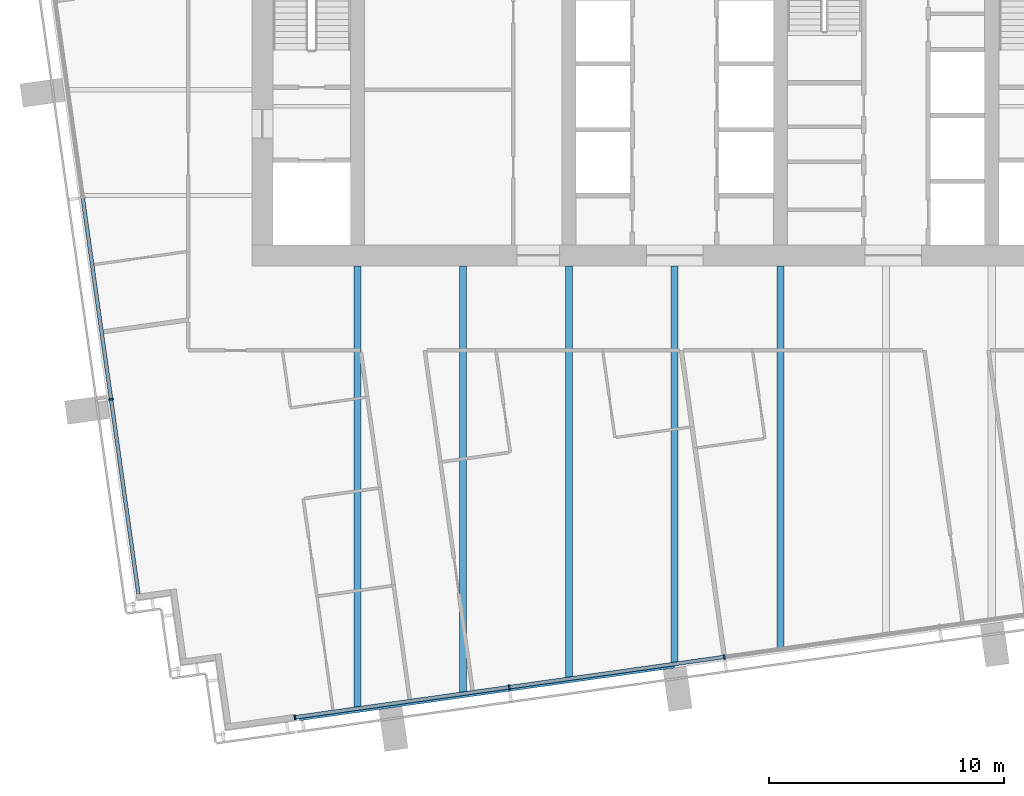
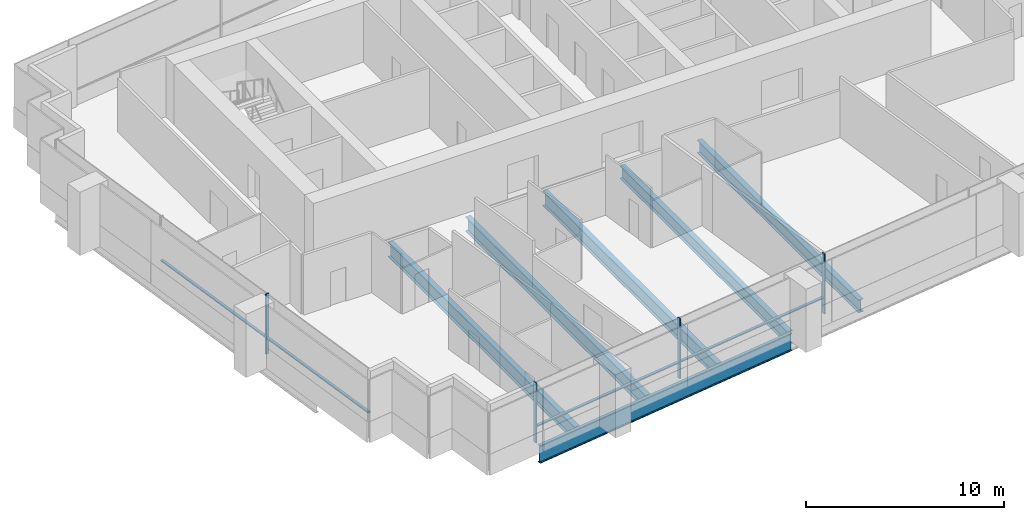
# One storey, part 2 of 15: 8 members, 6 beams, 2 elements without a shape of their own.
"""IFC4 building model written with IfcOpenShell, lengths in metres."""

from ifc_helpers import new_model, si_unit, direction, frame, origin, origin_2d, place, context, subcontext, project, spatial, rectangle, i_section, extrude, material, layer, layer_set, material_profile, profile_set, type_object, element, aggregate, save


model = new_model("IFC4")

# Units and contexts
model_context = context("Model", 3, precision=1e-05, world=origin(), true_north=direction((0.0, 1.0)))
body_context = subcontext(model_context, "Body", "Model", "MODEL_VIEW")
ifc_project = project(units=[si_unit("LENGTHUNIT", "METRE"), si_unit("AREAUNIT", "SQUARE_METRE"), si_unit("VOLUMEUNIT", "CUBIC_METRE"), si_unit("PLANEANGLEUNIT", "RADIAN"), si_unit("MASSUNIT", "GRAM", prefix="KILO")], contexts=[model_context])

# Site, building, storey
site_placement = place(None, origin())
site = spatial("IfcSite", under=ifc_project, at=site_placement, CompositionType="ELEMENT")
building_placement = place(site_placement, origin())
building = spatial("IfcBuilding", under=site, at=building_placement, Name="Rattan Terrace Tower", CompositionType="ELEMENT")
storey_placement = place(building_placement, frame((0.0, 0.0, 274.60009765625)))
storey = spatial("IfcBuildingStorey", under=building, at=storey_placement, Name="L63", CompositionType="ELEMENT", Elevation=274.60009765625)

# Beams
ifc_material_1 = material(Name="Steel S460", Category="steel")
ifc_material_profile_1 = material_profile(ifc_material_1, i_section(OverallWidth=0.179931640625, OverallDepth=1.10009765625, WebThickness=0.01611328125, FlangeThickness=0.050048828125, at=origin_2d()), Name="PG 1100x180-16-50")
ifc_profile_set_1 = profile_set([ifc_material_profile_1], Name="Steel S460")
beam_type_1 = type_object("IfcBeamType", Name="Frame edge girder PG 1100x180-16-50", PredefinedType="SPANDREL", material=ifc_profile_set_1)
beam_1_placement = place(storey_placement, frame((-15.969970703125, -26.77099609375, -0.75), z_axis=(0.990265456284, 0.139191688294, 0.0), x_axis=(-0.139191688294, 0.990265456284, 0.0)))
element("IfcBeam", 1, at=beam_1_placement, inside=storey, type_object=beam_type_1, Name="gdr-L63-001", PredefinedType="SPANDREL", context=body_context, shape_type="SweptSolid", body=[
    extrude(i_section(OverallWidth=0.179931640625, OverallDepth=1.10009765625, WebThickness=0.01611328125, FlangeThickness=0.050048828125, at=origin_2d()), origin(), (0.0, 0.0, 1.0), 16.114013671875),
])
ifc_material_2 = material(Name="Steel S355", Category="steel")
ifc_material_profile_2 = material_profile(ifc_material_2, i_section(OverallWidth=0.300048828125, OverallDepth=0.800048828125, WebThickness=0.017578125, FlangeThickness=0.032958984375, FilletRadius=0.030029296875, at=origin_2d()), Name="HE 800 B")
ifc_profile_set_2 = profile_set([ifc_material_profile_2], Name="Steel S355")
beam_type_2 = type_object("IfcBeamType", Name="Frame floor beam HE 800 B", PredefinedType="JOIST", material=ifc_profile_set_2)
beam_2_placement = place(storey_placement, frame((0.0, -24.4140625, -0.60009765625), z_axis=(0.0, 1.0, 0.0), x_axis=(-1.0, 0.0, 0.0)))
element("IfcBeam", 2, at=beam_2_placement, inside=storey, type_object=beam_type_2, Name="bm-L63-006", PredefinedType="JOIST", context=body_context, shape_type="SweptSolid", body=[
    extrude(i_section(OverallWidth=0.300048828125, OverallDepth=0.800048828125, WebThickness=0.017578125, FlangeThickness=0.032958984375, FilletRadius=0.030029296875, at=origin_2d()), origin(), (0.0, 0.0, 1.0), 16.9140625),
])
beam_3_placement = place(storey_placement, frame((4.5, -23.781982421875, -0.60009765625), z_axis=(0.0, 1.0, 0.0), x_axis=(-1.0, 0.0, 0.0)))
element("IfcBeam", 3, at=beam_3_placement, inside=storey, type_object=beam_type_2, Name="bm-L63-007", PredefinedType="JOIST", context=body_context, shape_type="SweptSolid", body=[
    extrude(i_section(OverallWidth=0.300048828125, OverallDepth=0.800048828125, WebThickness=0.017578125, FlangeThickness=0.032958984375, FilletRadius=0.030029296875, at=origin_2d()), origin(), (0.0, 0.0, 1.0), 16.281982421875),
])
ifc_material_3 = material(Name="Steel S355", Category="steel")
ifc_material_profile_3 = material_profile(ifc_material_3, i_section(OverallWidth=0.300048828125, OverallDepth=0.89990234375, WebThickness=0.0185546875, FlangeThickness=0.034912109375, FilletRadius=0.030029296875, at=origin_2d()), Name="HE 900 B")
ifc_profile_set_3 = profile_set([ifc_material_profile_3], Name="Steel S355")
beam_type_3 = type_object("IfcBeamType", Name="Frame floor beam HE 900 B", PredefinedType="JOIST", material=ifc_profile_set_3)
beam_4_placement = place(storey_placement, frame((-13.5, -26.31201171875, -0.650146484375), z_axis=(0.0, 1.0, 0.0), x_axis=(-1.0, 0.0, 0.0)))
element("IfcBeam", 4, at=beam_4_placement, inside=storey, type_object=beam_type_3, Name="bm-L63-003", PredefinedType="JOIST", context=body_context, shape_type="SweptSolid", body=[
    extrude(i_section(OverallWidth=0.300048828125, OverallDepth=0.89990234375, WebThickness=0.0185546875, FlangeThickness=0.034912109375, FilletRadius=0.030029296875, at=origin_2d()), origin(), (0.0, 0.0, 1.0), 18.81201171875),
])
beam_5_placement = place(storey_placement, frame((-9.0, -25.678955078125, -0.650146484375), z_axis=(0.0, 1.0, 0.0), x_axis=(-1.0, 0.0, 0.0)))
element("IfcBeam", 5, at=beam_5_placement, inside=storey, type_object=beam_type_3, Name="bm-L63-004", PredefinedType="JOIST", context=body_context, shape_type="SweptSolid", body=[
    extrude(i_section(OverallWidth=0.300048828125, OverallDepth=0.89990234375, WebThickness=0.0185546875, FlangeThickness=0.034912109375, FilletRadius=0.030029296875, at=origin_2d()), origin(), (0.0, 0.0, 1.0), 18.178955078125),
])
beam_6_placement = place(storey_placement, frame((-4.5, -25.047119140625, -0.650146484375), z_axis=(0.0, 1.0, 0.0), x_axis=(-1.0, 0.0, 0.0)))
element("IfcBeam", 6, at=beam_6_placement, inside=storey, type_object=beam_type_3, Name="bm-L63-005", PredefinedType="JOIST", context=body_context, shape_type="SweptSolid", body=[
    extrude(i_section(OverallWidth=0.300048828125, OverallDepth=0.89990234375, WebThickness=0.0185546875, FlangeThickness=0.034912109375, FilletRadius=0.030029296875, at=origin_2d()), origin(), (0.0, 0.0, 1.0), 17.547119140625),
])

# Curtain wall, member
ifc_material_4 = material(Name="Aluminium and laminated glass", Category="aluminium")
ifc_layer = layer(ifc_material_4, 0.199951171875)
ifc_layer_set = layer_set([ifc_layer], Name="High-Zone Unitised Curtain Wall")
curtain_wall_type = type_object("IfcCurtainWallType", Name="High-Zone Unitised Curtain Wall", PredefinedType="NOTDEFINED", material=ifc_layer_set)
curtain_wall_1_placement = place(storey_placement, origin())
curtain_wall_1 = element("IfcCurtainWall", 7, at=curtain_wall_1_placement, inside=storey, type_object=curtain_wall_type, Name="High-zone curtain wall L63-3", PredefinedType="NOTDEFINED")
ifc_material_5 = material(Name="Aluminium", Category="aluminium")
ifc_material_profile_4 = material_profile(ifc_material_5, rectangle(XDim=0.070068359375, YDim=0.199951171875, at=origin_2d()), Name="Aluminium 70x200")
ifc_profile_set_4 = profile_set([ifc_material_profile_4], Name="Aluminium")
member_type_1 = type_object("IfcMemberType", Name="High-Zone CW Mullion 70x200", PredefinedType="MULLION", material=ifc_profile_set_4)
member_1_placement = place(storey_placement, frame((-23.989990234375, -13.177490234375, 0.0), z_axis=(0.0, 0.0, 1.0), x_axis=(0.139191775431, -0.990265444036, 0.0)))
member_1 = element("IfcMember", 8, at=member_1_placement, type_object=member_type_1, Name="Mullion cwl-L63-003.3", PredefinedType="MULLION", context=body_context, shape_type="SweptSolid", body=[
    extrude(rectangle(XDim=0.070068359375, YDim=0.199951171875, at=origin_2d()), origin(), (0.0, 0.0, 1.0), 3.699951171875),
])

# Curtain wall, members
curtain_wall_2_placement = place(storey_placement, origin())
curtain_wall_2 = element("IfcCurtainWall", 9, at=curtain_wall_2_placement, inside=storey, type_object=curtain_wall_type, Name="High-zone curtain wall L63-4", PredefinedType="NOTDEFINED")
member_2_placement = place(storey_placement, frame((-16.1650390625, -26.716796875, 0.0), z_axis=(0.0, 0.0, 1.0), x_axis=(0.990265894013, 0.139188574079, 0.0)))
member_2 = element("IfcMember", 10, at=member_2_placement, type_object=member_type_1, Name="Mullion cwl-L63-004.1", PredefinedType="MULLION", context=body_context, shape_type="SweptSolid", body=[
    extrude(rectangle(XDim=0.070068359375, YDim=0.199951171875, at=origin_2d()), origin(), (0.0, 0.0, 1.0), 3.699951171875),
])
member_3_placement = place(storey_placement, frame((-7.040771484375, -25.434326171875, 0.0), z_axis=(0.0, 0.0, 1.0), x_axis=(0.990265894013, 0.139188574079, 0.0)))
member_3 = element("IfcMember", 11, at=member_3_placement, type_object=member_type_1, Name="Mullion cwl-L63-004.2", PredefinedType="MULLION", context=body_context, shape_type="SweptSolid", body=[
    extrude(rectangle(XDim=0.070068359375, YDim=0.199951171875, at=origin_2d()), origin(), (0.0, 0.0, 1.0), 3.699951171875),
])
member_4_placement = place(storey_placement, frame((2.1181640625, -24.14697265625, 0.0), z_axis=(0.0, 0.0, 1.0), x_axis=(0.990265894013, 0.139188574079, 0.0)))
member_4 = element("IfcMember", 12, at=member_4_placement, type_object=member_type_1, Name="Mullion cwl-L63-004.3", PredefinedType="MULLION", context=body_context, shape_type="SweptSolid", body=[
    extrude(rectangle(XDim=0.070068359375, YDim=0.199951171875, at=origin_2d()), origin(), (0.0, 0.0, 1.0), 3.699951171875),
])

# Member
ifc_material_6 = material(Name="Aluminium", Category="aluminium")
ifc_material_profile_5 = material_profile(ifc_material_6, rectangle(XDim=0.159912109375, YDim=0.070068359375, at=origin_2d()), Name="Aluminium 160x70")
ifc_profile_set_5 = profile_set([ifc_material_profile_5], Name="Aluminium")
member_type_2 = type_object("IfcMemberType", Name="High-Zone CW Transom 160x70", PredefinedType="USERDEFINED", material=ifc_profile_set_5)
member_5_placement = place(storey_placement, frame((-25.19140625, -4.629638671875, 1.0), z_axis=(0.139182599995, -0.990266733693, 0.0), x_axis=(0.990266733693, 0.139182599995, 0.0)))
member_5 = element("IfcMember", 13, at=member_5_placement, type_object=member_type_2, Name="Transom cwl-L63-003.2", ObjectType="TRANSOM", PredefinedType="USERDEFINED", context=body_context, shape_type="SweptSolid", body=[
    extrude(rectangle(XDim=0.159912109375, YDim=0.070068359375, at=origin_2d()), origin(), (0.0, 0.0, 1.0), 8.596923828125),
])

member_6_placement = place(storey_placement, frame((-23.985107421875, -13.212158203125, 1.0), z_axis=(0.139198740199, -0.990264465043, 0.0), x_axis=(0.990264465043, 0.139198740199, 0.0)))
member_6 = element("IfcMember", 14, at=member_6_placement, type_object=member_type_2, Name="Transom cwl-L63-003.3", ObjectType="TRANSOM", PredefinedType="USERDEFINED", context=body_context, shape_type="SweptSolid", body=[
    extrude(rectangle(XDim=0.159912109375, YDim=0.070068359375, at=origin_2d()), origin(), (0.0, 0.0, 1.0), 8.336181640625),
])

aggregate(curtain_wall_1, [member_1, member_5, member_6])

member_7_placement = place(storey_placement, frame((-16.13037109375, -26.7119140625, 1.0), z_axis=(0.990266298783, 0.139185694291, 0.0), x_axis=(-0.139185694291, 0.990266298783, 0.0)))
member_7 = element("IfcMember", 15, at=member_7_placement, type_object=member_type_2, Name="Transom cwl-L63-004.1", ObjectType="TRANSOM", PredefinedType="USERDEFINED", context=body_context, shape_type="SweptSolid", body=[
    extrude(rectangle(XDim=0.159912109375, YDim=0.070068359375, at=origin_2d()), origin(), (0.0, 0.0, 1.0), 9.14404296875),
])

member_8_placement = place(storey_placement, frame((-7.006103515625, -25.429443359375, 1.0), z_axis=(0.990266147156, 0.139186773067, 0.0), x_axis=(-0.139186773067, 0.990266147156, 0.0)))
member_8 = element("IfcMember", 16, at=member_8_placement, type_object=member_type_2, Name="Transom cwl-L63-004.2", ObjectType="TRANSOM", PredefinedType="USERDEFINED", context=body_context, shape_type="SweptSolid", body=[
    extrude(rectangle(XDim=0.159912109375, YDim=0.070068359375, at=origin_2d()), origin(), (0.0, 0.0, 1.0), 9.178955078125),
])

aggregate(curtain_wall_2, [member_2, member_3, member_4, member_7, member_8])

save(model, "model.ifc")
